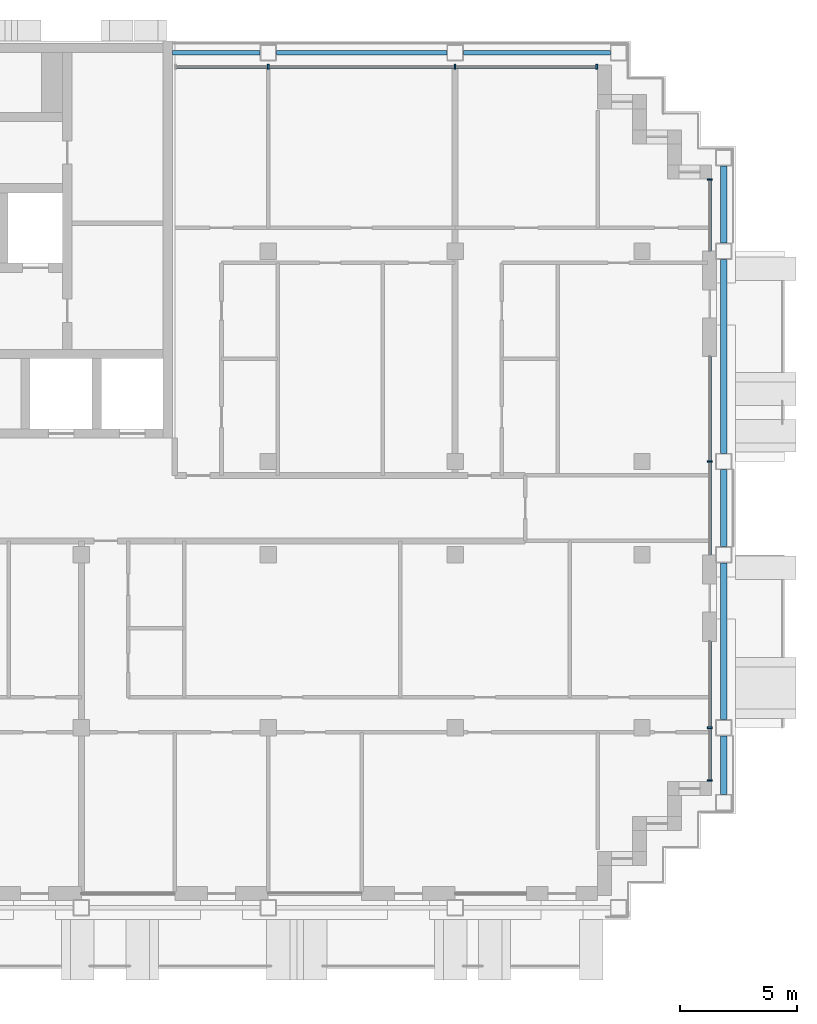
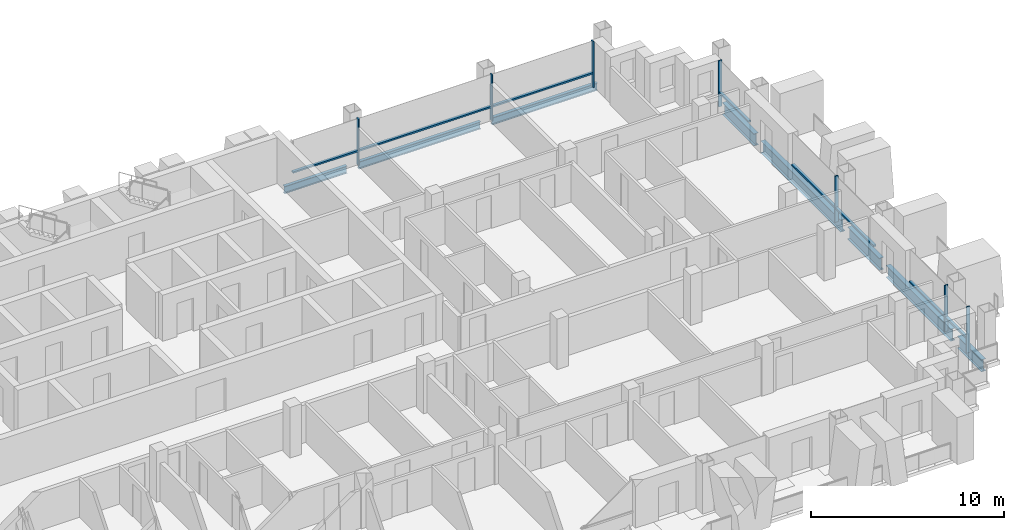
# One storey, part 5 of 16: 15 members, 8 beams, 4 elements without a shape of their own.
"""IFC4 building model written with IfcOpenShell, lengths in metres."""

from ifc_helpers import new_model, si_unit, direction, frame, origin, origin_2d, place, context, subcontext, project, spatial, rectangle, i_section, extrude, material, material_profile, profile_set, type_object, element, aggregate, save


model = new_model("IFC4")

# Units and contexts
model_context = context("Model", 3, precision=1e-05, world=origin(), true_north=direction((0.0, 1.0)))
body_context = subcontext(model_context, "Body", "Model", "MODEL_VIEW")
ifc_project = project(units=[si_unit("LENGTHUNIT", "METRE"), si_unit("AREAUNIT", "SQUARE_METRE"), si_unit("VOLUMEUNIT", "CUBIC_METRE"), si_unit("PLANEANGLEUNIT", "RADIAN"), si_unit("MASSUNIT", "GRAM", prefix="KILO")], contexts=[model_context])

# Site, building, storey
site_placement = place(None, origin())
site = spatial("IfcSite", under=ifc_project, at=site_placement, CompositionType="ELEMENT")
building_placement = place(site_placement, origin())
building = spatial("IfcBuilding", under=site, at=building_placement, Name="Vidyagriha Tower", CompositionType="ELEMENT")
storey_placement = place(building_placement, frame((0.0, 0.0, 168.5)))
storey = spatial("IfcBuildingStorey", under=building, at=storey_placement, Name="L43", CompositionType="ELEMENT", Elevation=168.5)

# Beams
ifc_material_1 = material(Name="Steel ASTM A992 Grade 50", Category="steel")
ifc_material_profile_1 = material_profile(ifc_material_1, i_section(OverallWidth=0.2666015625, OverallDepth=0.76953125, WebThickness=0.015625, FlangeThickness=0.025390625, at=origin_2d()), Name="W30X132")
ifc_profile_set_1 = profile_set([ifc_material_profile_1], Name="Steel ASTM A992 Grade 50")
beam_type_1 = type_object("IfcBeamType", Name="Cantilever edge beam W30X132", PredefinedType="SPANDREL", material=ifc_profile_set_1)
beam_1_placement = place(storey_placement, frame((37.5, -12.25, -0.664794921875), z_axis=(0.0, 1.0, 0.0), x_axis=(-1.0, 0.0, 0.0)))
element("IfcBeam", 1, at=beam_1_placement, inside=storey, type_object=beam_type_1, Name="st-beam-L43-E13", PredefinedType="SPANDREL", context=body_context, shape_type="SweptSolid", body=[
    extrude(i_section(OverallWidth=0.2666015625, OverallDepth=0.76953125, WebThickness=0.015625, FlangeThickness=0.025390625, at=origin_2d()), origin(), (0.0, 0.0, 1.0), 2.5),
])
beam_2_placement = place(storey_placement, frame((37.5, -9.050048828125, -0.664794921875), z_axis=(0.0, 1.0, 0.0), x_axis=(-1.0, 0.0, 0.0)))
element("IfcBeam", 2, at=beam_2_placement, inside=storey, type_object=beam_type_1, Name="st-beam-L43-E14", PredefinedType="SPANDREL", context=body_context, shape_type="SweptSolid", body=[
    extrude(i_section(OverallWidth=0.2666015625, OverallDepth=0.76953125, WebThickness=0.015625, FlangeThickness=0.025390625, at=origin_2d()), origin(), (0.0, 0.0, 1.0), 6.699951171875),
])
beam_3_placement = place(storey_placement, frame((37.5, -1.64990234375, -0.664794921875), z_axis=(0.0, 1.0, 0.0), x_axis=(-1.0, 0.0, 0.0)))
element("IfcBeam", 3, at=beam_3_placement, inside=storey, type_object=beam_type_1, Name="st-beam-L43-E15", PredefinedType="SPANDREL", context=body_context, shape_type="SweptSolid", body=[
    extrude(i_section(OverallWidth=0.2666015625, OverallDepth=0.76953125, WebThickness=0.015625, FlangeThickness=0.025390625, at=origin_2d()), origin(), (0.0, 0.0, 1.0), 3.2998046875),
])
beam_4_placement = place(storey_placement, frame((37.5, 2.35009765625, -0.664794921875), z_axis=(0.0, 1.0, 0.0), x_axis=(-1.0, 0.0, 0.0)))
element("IfcBeam", 4, at=beam_4_placement, inside=storey, type_object=beam_type_1, Name="st-beam-L43-E16", PredefinedType="SPANDREL", context=body_context, shape_type="SweptSolid", body=[
    extrude(i_section(OverallWidth=0.2666015625, OverallDepth=0.76953125, WebThickness=0.015625, FlangeThickness=0.025390625, at=origin_2d()), origin(), (0.0, 0.0, 1.0), 8.2998046875),
])
beam_5_placement = place(storey_placement, frame((37.5, 11.35009765625, -0.664794921875), z_axis=(0.0, 1.0, 0.0), x_axis=(-1.0, 0.0, 0.0)))
element("IfcBeam", 5, at=beam_5_placement, inside=storey, type_object=beam_type_1, Name="st-beam-L43-E17", PredefinedType="SPANDREL", context=body_context, shape_type="SweptSolid", body=[
    extrude(i_section(OverallWidth=0.2666015625, OverallDepth=0.76953125, WebThickness=0.015625, FlangeThickness=0.025390625, at=origin_2d()), origin(), (0.0, 0.0, 1.0), 3.2998046875),
])
ifc_material_2 = material(Name="Steel ASTM A992 Grade 50", Category="steel")
ifc_material_profile_2 = material_profile(ifc_material_2, i_section(OverallWidth=0.19189453125, OverallDepth=0.46240234375, WebThickness=0.010498046875, FlangeThickness=0.017578125, at=origin_2d()), Name="W18X60")
ifc_profile_set_2 = profile_set([ifc_material_profile_2], Name="Steel ASTM A992 Grade 50")
beam_type_2 = type_object("IfcBeamType", Name="Edge beam W18X60", PredefinedType="SPANDREL", material=ifc_profile_set_2)
beam_6_placement = place(storey_placement, frame((18.35009765625, 19.5, -0.51123046875), z_axis=(1.0, 0.0, 0.0), x_axis=(0.0, 1.0, 0.0)))
element("IfcBeam", 6, at=beam_6_placement, inside=storey, type_object=beam_type_2, Name="st-beam-L43-NE18", PredefinedType="SPANDREL", context=body_context, shape_type="SweptSolid", body=[
    extrude(i_section(OverallWidth=0.19189453125, OverallDepth=0.46240234375, WebThickness=0.010498046875, FlangeThickness=0.017578125, at=origin_2d()), origin(), (0.0, 0.0, 1.0), 7.2998046875),
])
beam_7_placement = place(storey_placement, frame((26.35009765625, 19.5, -0.51123046875), z_axis=(1.0, 0.0, 0.0), x_axis=(0.0, 1.0, 0.0)))
element("IfcBeam", 7, at=beam_7_placement, inside=storey, type_object=beam_type_2, Name="st-beam-L43-NE19", PredefinedType="SPANDREL", context=body_context, shape_type="SweptSolid", body=[
    extrude(i_section(OverallWidth=0.19189453125, OverallDepth=0.46240234375, WebThickness=0.010498046875, FlangeThickness=0.017578125, at=origin_2d()), origin(), (0.0, 0.0, 1.0), 6.2998046875),
])
beam_8_placement = place(storey_placement, frame((13.89990234375, 19.5, -0.51123046875), z_axis=(1.0, 0.0, 0.0), x_axis=(0.0, 1.0, 0.0)))
element("IfcBeam", 8, at=beam_8_placement, inside=storey, type_object=beam_type_2, Name="st-beam-L43-NC21", PredefinedType="SPANDREL", context=body_context, shape_type="SweptSolid", body=[
    extrude(i_section(OverallWidth=0.19189453125, OverallDepth=0.46240234375, WebThickness=0.010498046875, FlangeThickness=0.017578125, at=origin_2d()), origin(), (0.0, 0.0, 1.0), 3.75),
])

# Curtain wall, members
ifc_material_3 = material(Name="Aluminium and glass curtain wall", Category="aluminium")
curtain_wall_type = type_object("IfcCurtainWallType", Name="Dwelling skin unitised curtain wall", PredefinedType="USERDEFINED", material=ifc_material_3)
curtain_wall_1_placement = place(storey_placement, origin())
curtain_wall_1 = element("IfcCurtainWall", 9, at=curtain_wall_1_placement, inside=storey, type_object=curtain_wall_type, Name="CW1 dwelling skin", ObjectType="UNITISED", PredefinedType="USERDEFINED")
ifc_material_4 = material(Name="Aluminium black anodised", Category="aluminium")
ifc_material_profile_3 = material_profile(ifc_material_4, rectangle(XDim=0.199951171875, YDim=0.070068359375, at=origin_2d()), Name="Mullion 70x200 black aluminium")
ifc_profile_set_3 = profile_set([ifc_material_profile_3], Name="Aluminium black anodised")
member_type_1 = type_object("IfcMemberType", Name="Mullion 70x200 black aluminium", PredefinedType="MULLION", material=ifc_profile_set_3)
member_1_placement = place(storey_placement, frame((32.06494140625, 18.89990234375, 0.0), z_axis=(0.0, 0.0, 1.0), x_axis=(0.0, -1.0, 0.0)))
member_1 = element("IfcMember", 10, at=member_1_placement, type_object=member_type_1, Name="CW1 mullion 1", PredefinedType="MULLION", context=body_context, shape_type="SweptSolid", body=[
    extrude(rectangle(XDim=0.199951171875, YDim=0.070068359375, at=origin_2d()), origin(), (0.0, 0.0, 1.0), 2.919921875),
])
member_2_placement = place(storey_placement, frame((26.0, 18.89990234375, 0.0), z_axis=(0.0, 0.0, 1.0), x_axis=(0.0, -1.0, 0.0)))
member_2 = element("IfcMember", 11, at=member_2_placement, type_object=member_type_1, Name="CW1 mullion 2", PredefinedType="MULLION", context=body_context, shape_type="SweptSolid", body=[
    extrude(rectangle(XDim=0.199951171875, YDim=0.070068359375, at=origin_2d()), origin(), (0.0, 0.0, 1.0), 2.919921875),
])
member_3_placement = place(storey_placement, frame((18.0, 18.89990234375, 0.0), z_axis=(0.0, 0.0, 1.0), x_axis=(0.0, -1.0, 0.0)))
member_3 = element("IfcMember", 12, at=member_3_placement, type_object=member_type_1, Name="CW1 mullion 3", PredefinedType="MULLION", context=body_context, shape_type="SweptSolid", body=[
    extrude(rectangle(XDim=0.199951171875, YDim=0.070068359375, at=origin_2d()), origin(), (0.0, 0.0, 1.0), 2.919921875),
])

curtain_wall_2_placement = place(storey_placement, origin())
curtain_wall_2 = element("IfcCurtainWall", 13, at=curtain_wall_2_placement, inside=storey, type_object=curtain_wall_type, Name="CW1 dwelling skin", ObjectType="UNITISED", PredefinedType="USERDEFINED")
member_4_placement = place(storey_placement, frame((36.89990234375, -11.6650390625, 0.0), z_axis=(0.0, 0.0, 1.0), x_axis=(-1.0, 0.0, 0.0)))
member_4 = element("IfcMember", 14, at=member_4_placement, type_object=member_type_1, Name="CW1 mullion 1", PredefinedType="MULLION", context=body_context, shape_type="SweptSolid", body=[
    extrude(rectangle(XDim=0.199951171875, YDim=0.070068359375, at=origin_2d()), origin(), (0.0, 0.0, 1.0), 2.919921875),
])
member_5_placement = place(storey_placement, frame((36.89990234375, -9.39990234375, 0.0), z_axis=(0.0, 0.0, 1.0), x_axis=(-1.0, 0.0, 0.0)))
member_5 = element("IfcMember", 15, at=member_5_placement, type_object=member_type_1, Name="CW1 mullion 2", PredefinedType="MULLION", context=body_context, shape_type="SweptSolid", body=[
    extrude(rectangle(XDim=0.199951171875, YDim=0.070068359375, at=origin_2d()), origin(), (0.0, 0.0, 1.0), 2.919921875),
])

# Curtain wall, member
curtain_wall_3_placement = place(storey_placement, origin())
curtain_wall_3 = element("IfcCurtainWall", 16, at=curtain_wall_3_placement, inside=storey, type_object=curtain_wall_type, Name="CW1 dwelling skin", ObjectType="UNITISED", PredefinedType="USERDEFINED")
member_6_placement = place(storey_placement, frame((36.89990234375, 2.0, 0.0), z_axis=(0.0, 0.0, 1.0), x_axis=(-1.0, 0.0, 0.0)))
member_6 = element("IfcMember", 17, at=member_6_placement, type_object=member_type_1, Name="CW1 mullion 2", PredefinedType="MULLION", context=body_context, shape_type="SweptSolid", body=[
    extrude(rectangle(XDim=0.199951171875, YDim=0.070068359375, at=origin_2d()), origin(), (0.0, 0.0, 1.0), 2.919921875),
])

curtain_wall_4_placement = place(storey_placement, origin())
curtain_wall_4 = element("IfcCurtainWall", 18, at=curtain_wall_4_placement, inside=storey, type_object=curtain_wall_type, Name="CW1 dwelling skin", ObjectType="UNITISED", PredefinedType="USERDEFINED")
member_7_placement = place(storey_placement, frame((36.89990234375, 14.06494140625, 0.0), z_axis=(0.0, 0.0, 1.0), x_axis=(-1.0, 0.0, 0.0)))
member_7 = element("IfcMember", 19, at=member_7_placement, type_object=member_type_1, Name="CW1 mullion 2", PredefinedType="MULLION", context=body_context, shape_type="SweptSolid", body=[
    extrude(rectangle(XDim=0.199951171875, YDim=0.070068359375, at=origin_2d()), origin(), (0.0, 0.0, 1.0), 2.919921875),
])

# Member
ifc_material_5 = material(Name="Aluminium black anodised", Category="aluminium")
ifc_material_profile_4 = material_profile(ifc_material_5, rectangle(XDim=0.159912109375, YDim=0.10009765625, at=origin_2d()), Name="Transom 100x160 black aluminium")
ifc_profile_set_4 = profile_set([ifc_material_profile_4], Name="Aluminium black anodised")
member_type_2 = type_object("IfcMemberType", Name="Transom 100x160 black aluminium", PredefinedType="USERDEFINED", material=ifc_profile_set_4)
member_8_placement = place(storey_placement, frame((32.030029296875, 18.89990234375, 0.89990234375), z_axis=(-1.0, 0.0, 0.0), x_axis=(0.0, -1.0, 0.0)))
member_8 = element("IfcMember", 20, at=member_8_placement, type_object=member_type_2, Name="CW1 transom 1.1", ObjectType="TRANSOM", PredefinedType="USERDEFINED", context=body_context, shape_type="SweptSolid", body=[
    extrude(rectangle(XDim=0.159912109375, YDim=0.10009765625, at=origin_2d()), origin(), (0.0, 0.0, 1.0), 5.9951171875),
])

member_9_placement = place(storey_placement, frame((25.965087890625, 18.89990234375, 0.89990234375), z_axis=(-1.0, 0.0, 0.0), x_axis=(0.0, -1.0, 0.0)))
member_9 = element("IfcMember", 21, at=member_9_placement, type_object=member_type_2, Name="CW1 transom 2.1", ObjectType="TRANSOM", PredefinedType="USERDEFINED", context=body_context, shape_type="SweptSolid", body=[
    extrude(rectangle(XDim=0.159912109375, YDim=0.10009765625, at=origin_2d()), origin(), (0.0, 0.0, 1.0), 7.93017578125),
])

member_10_placement = place(storey_placement, frame((17.965087890625, 18.89990234375, 0.89990234375), z_axis=(-1.0, 0.0, 0.0), x_axis=(0.0, -1.0, 0.0)))
member_10 = element("IfcMember", 22, at=member_10_placement, type_object=member_type_2, Name="CW1 transom 3.1", ObjectType="TRANSOM", PredefinedType="USERDEFINED", context=body_context, shape_type="SweptSolid", body=[
    extrude(rectangle(XDim=0.159912109375, YDim=0.10009765625, at=origin_2d()), origin(), (0.0, 0.0, 1.0), 3.89501953125),
])

aggregate(curtain_wall_1, [member_1, member_2, member_3, member_8, member_9, member_10])

member_11_placement = place(storey_placement, frame((36.89990234375, -11.6298828125, 0.89990234375), z_axis=(0.0, 1.0, 0.0), x_axis=(-1.0, 0.0, 0.0)))
member_11 = element("IfcMember", 23, at=member_11_placement, type_object=member_type_2, Name="CW1 transom 1.1", ObjectType="TRANSOM", PredefinedType="USERDEFINED", context=body_context, shape_type="SweptSolid", body=[
    extrude(rectangle(XDim=0.159912109375, YDim=0.10009765625, at=origin_2d()), origin(), (0.0, 0.0, 1.0), 2.19482421875),
])

member_12_placement = place(storey_placement, frame((36.89990234375, -9.364990234375, 0.89990234375), z_axis=(0.0, 1.0, 0.0), x_axis=(-1.0, 0.0, 0.0)))
member_12 = element("IfcMember", 24, at=member_12_placement, type_object=member_type_2, Name="CW1 transom 2.1", ObjectType="TRANSOM", PredefinedType="USERDEFINED", context=body_context, shape_type="SweptSolid", body=[
    extrude(rectangle(XDim=0.159912109375, YDim=0.10009765625, at=origin_2d()), origin(), (0.0, 0.0, 1.0), 3.6650390625),
])

aggregate(curtain_wall_2, [member_4, member_5, member_11, member_12])

member_13_placement = place(storey_placement, frame((36.89990234375, -2.0, 0.89990234375), z_axis=(0.0, 1.0, 0.0), x_axis=(-1.0, 0.0, 0.0)))
member_13 = element("IfcMember", 25, at=member_13_placement, type_object=member_type_2, Name="CW1 transom 1.1", ObjectType="TRANSOM", PredefinedType="USERDEFINED", context=body_context, shape_type="SweptSolid", body=[
    extrude(rectangle(XDim=0.159912109375, YDim=0.10009765625, at=origin_2d()), origin(), (0.0, 0.0, 1.0), 3.965087890625),
])

member_14_placement = place(storey_placement, frame((36.89990234375, 2.034912109375, 0.89990234375), z_axis=(0.0, 1.0, 0.0), x_axis=(-1.0, 0.0, 0.0)))
member_14 = element("IfcMember", 26, at=member_14_placement, type_object=member_type_2, Name="CW1 transom 2.1", ObjectType="TRANSOM", PredefinedType="USERDEFINED", context=body_context, shape_type="SweptSolid", body=[
    extrude(rectangle(XDim=0.159912109375, YDim=0.10009765625, at=origin_2d()), origin(), (0.0, 0.0, 1.0), 4.465087890625),
])

aggregate(curtain_wall_3, [member_6, member_13, member_14])

member_15_placement = place(storey_placement, frame((36.89990234375, 11.0, 0.89990234375), z_axis=(0.0, 1.0, 0.0), x_axis=(-1.0, 0.0, 0.0)))
member_15 = element("IfcMember", 27, at=member_15_placement, type_object=member_type_2, Name="CW1 transom 1.1", ObjectType="TRANSOM", PredefinedType="USERDEFINED", context=body_context, shape_type="SweptSolid", body=[
    extrude(rectangle(XDim=0.159912109375, YDim=0.10009765625, at=origin_2d()), origin(), (0.0, 0.0, 1.0), 3.030029296875),
])

aggregate(curtain_wall_4, [member_7, member_15])

save(model, "model.ifc")
